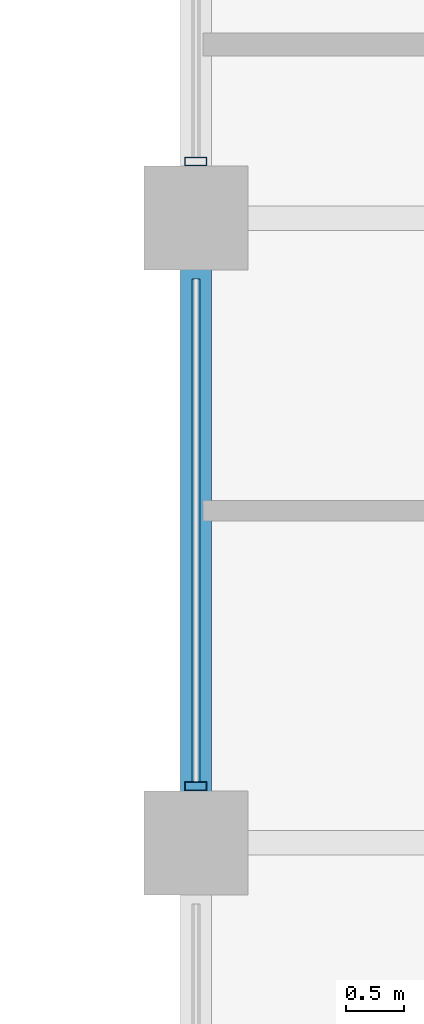
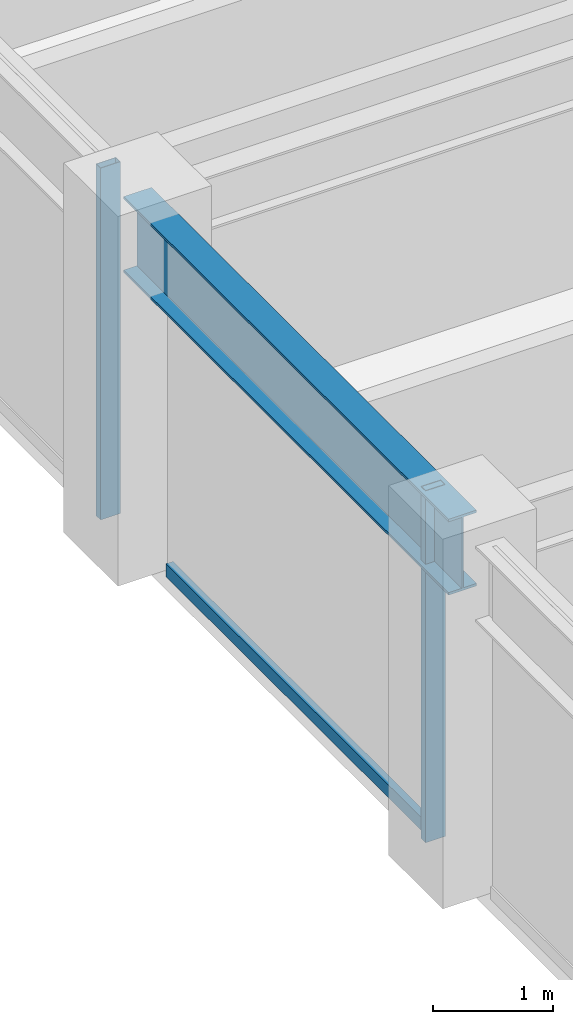
# One storey, part 8 of 32: 3 members, 1 beam, 1 element without a shape of its own.
"""IFC4 building model written with IfcOpenShell, lengths in metres."""

from ifc_helpers import new_model, si_unit, direction, frame, origin, origin_2d, place, context, subcontext, project, spatial, hollow_rectangle, i_section, extrude, material, layer, layer_set, material_profile, profile_set, type_object, element, aggregate, save


model = new_model("IFC4")

# Units and contexts
model_context = context("Model", 3, precision=1e-05, world=origin(), true_north=direction((0.0, 1.0)))
body_context = subcontext(model_context, "Body", "Model", "MODEL_VIEW")
ifc_project = project(units=[si_unit("LENGTHUNIT", "METRE"), si_unit("AREAUNIT", "SQUARE_METRE"), si_unit("VOLUMEUNIT", "CUBIC_METRE"), si_unit("PLANEANGLEUNIT", "RADIAN"), si_unit("MASSUNIT", "GRAM", prefix="KILO")], contexts=[model_context])

# Site, building, storey
site_placement = place(None, origin())
site = spatial("IfcSite", under=ifc_project, at=site_placement, CompositionType="ELEMENT")
building_placement = place(site_placement, origin())
building = spatial("IfcBuilding", under=site, at=building_placement, Name="Surkhivell Harbour Commons", CompositionType="ELEMENT")
storey_placement = place(building_placement, frame((0.0, 0.0, 186.0)))
storey = spatial("IfcBuildingStorey", under=building, at=storey_placement, Name="L48", CompositionType="ELEMENT", Elevation=186.0)

# Beam
ifc_material_1 = material(Name="Steel S355", Category="steel")
ifc_material_profile_1 = material_profile(ifc_material_1, i_section(OverallWidth=0.26806640625, OverallDepth=0.77001953125, WebThickness=0.015625, FlangeThickness=0.025390625, at=origin_2d()), Name="UB762x267x197")
ifc_profile_set_1 = profile_set([ifc_material_profile_1], Name="Steel S355")
beam_type = type_object("IfcBeamType", Name="BM-SPN-762", PredefinedType="SPANDREL", material=ifc_profile_set_1)
beam_placement = place(storey_placement, frame((-27.0, -5.39990234375, 3.18505859375), z_axis=(0.0, 1.0, 0.0), x_axis=(-1.0, 0.0, 0.0)))
element("IfcBeam", 1, at=beam_placement, inside=storey, type_object=beam_type, Name="L48 Tube Spandrel (-27.0,-5.4)", PredefinedType="SPANDREL", context=body_context, shape_type="SweptSolid", body=[
    extrude(i_section(OverallWidth=0.26806640625, OverallDepth=0.77001953125, WebThickness=0.015625, FlangeThickness=0.025390625, at=origin_2d()), origin(), (0.0, 0.0, 1.0), 5.39990234375),
])

# Curtain wall, members
ifc_material_2 = material(Name="Anodised pale-metal aluminium and insulated glazing", Category="aluminium")
ifc_layer = layer(ifc_material_2, 0.18994140625)
ifc_layer_set = layer_set([ifc_layer], Name="Anodised pale-metal aluminium and insulated glazing")
curtain_wall_type = type_object("IfcCurtainWallType", Name="CW-SYS-Z3", PredefinedType="NOTDEFINED", material=ifc_layer_set)
curtain_wall_placement = place(storey_placement, origin())
curtain_wall = element("IfcCurtainWall", 2, at=curtain_wall_placement, inside=storey, type_object=curtain_wall_type, Name="L48 Curtain Wall CW-L48-E12R1S1", PredefinedType="NOTDEFINED")
ifc_material_3 = material(Name="Anodised pale-metal aluminium alloy 6063-T6", Category="aluminium")
ifc_material_profile_2 = material_profile(ifc_material_3, hollow_rectangle(XDim=0.074951171875, YDim=0.18994140625, WallThickness=0.00390625, at=origin_2d()), Name="ALU-MULL-75x190")
ifc_profile_set_2 = profile_set([ifc_material_profile_2], Name="Anodised pale-metal aluminium alloy 6063-T6")
member_type_1 = type_object("IfcMemberType", Name="CWM-190", PredefinedType="MULLION", material=ifc_profile_set_2)
member_1_placement = place(storey_placement, frame((-27.0, -4.910400390625, 0.0), z_axis=(0.0, 0.0, 1.0), x_axis=(0.0, 1.0, 0.0)))
member_1 = element("IfcMember", 3, at=member_1_placement, type_object=member_type_1, Name="CW-Z3 mullion 2", PredefinedType="MULLION", context=body_context, shape_type="SweptSolid", body=[
    extrude(hollow_rectangle(XDim=0.074951171875, YDim=0.18994140625, WallThickness=0.00390625, at=origin_2d()), origin(), (0.0, 0.0, 1.0), 3.570068359375),
])
member_2_placement = place(storey_placement, frame((-27.0, 0.489501953125, 0.0), z_axis=(0.0, 0.0, 1.0), x_axis=(0.0, 1.0, 0.0)))
member_2 = element("IfcMember", 4, at=member_2_placement, type_object=member_type_1, Name="CW-Z3 mullion 3", PredefinedType="MULLION", context=body_context, shape_type="SweptSolid", body=[
    extrude(hollow_rectangle(XDim=0.074951171875, YDim=0.18994140625, WallThickness=0.00390625, at=origin_2d()), origin(), (0.0, 0.0, 1.0), 3.570068359375),
])
ifc_material_4 = material(Name="Champagne anodised aluminium alloy 6063-T6", Category="aluminium")
ifc_material_profile_3 = material_profile(ifc_material_4, hollow_rectangle(XDim=0.070068359375, YDim=0.1298828125, WallThickness=0.00341796875, at=origin_2d()), Name="ALU-TRAN-70x130")
ifc_profile_set_3 = profile_set([ifc_material_profile_3], Name="Champagne anodised aluminium alloy 6063-T6")
member_type_2 = type_object("IfcMemberType", Name="CWT-130", PredefinedType="USERDEFINED", material=ifc_profile_set_3)
member_3_placement = place(storey_placement, frame((-27.0, -4.873046875, 0.06494140625), z_axis=(0.0, 1.0, 0.0), x_axis=(-1.0, 0.0, 0.0)))
member_3 = element("IfcMember", 5, at=member_3_placement, type_object=member_type_2, Name="CW-Z3 transom 2.1", ObjectType="TRANSOM", PredefinedType="USERDEFINED", context=body_context, shape_type="SweptSolid", body=[
    extrude(hollow_rectangle(XDim=0.070068359375, YDim=0.1298828125, WallThickness=0.00341796875, at=origin_2d()), origin(), (0.0, 0.0, 1.0), 4.345947265625),
])
aggregate(curtain_wall, [member_1, member_3, member_2])

save(model, "model.ifc")
